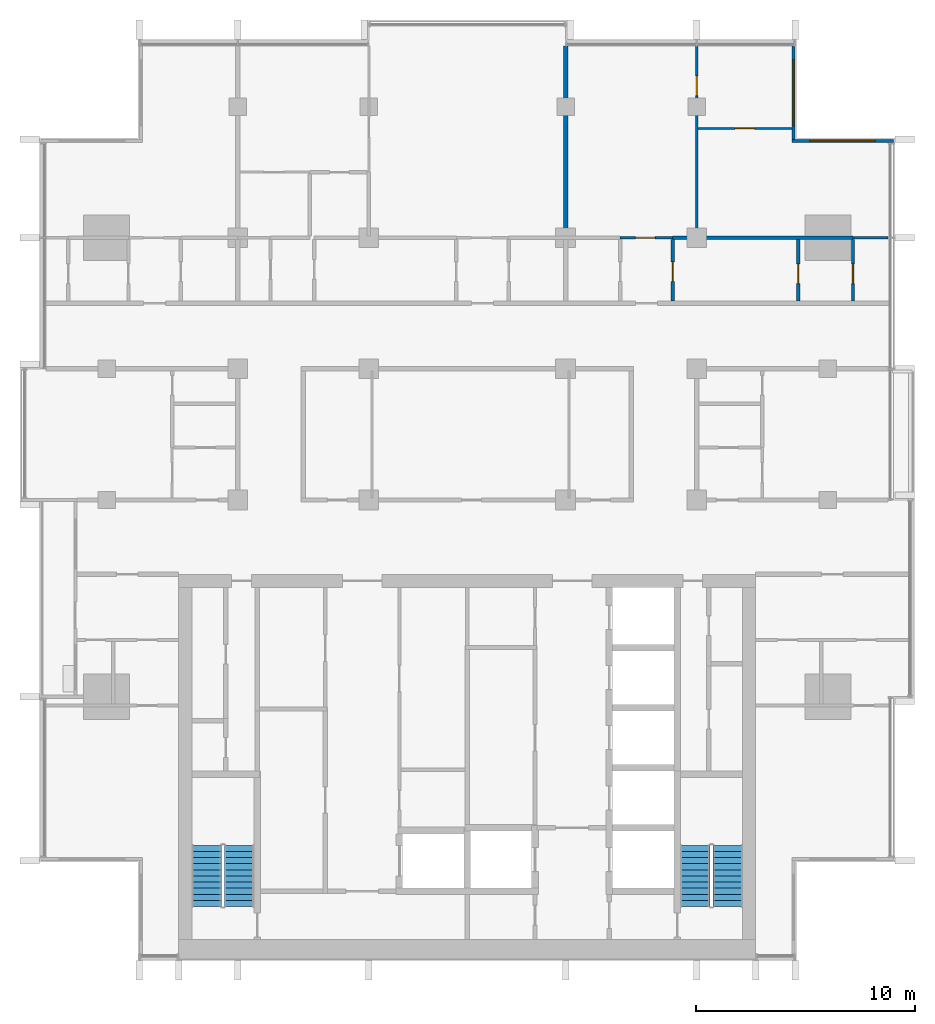
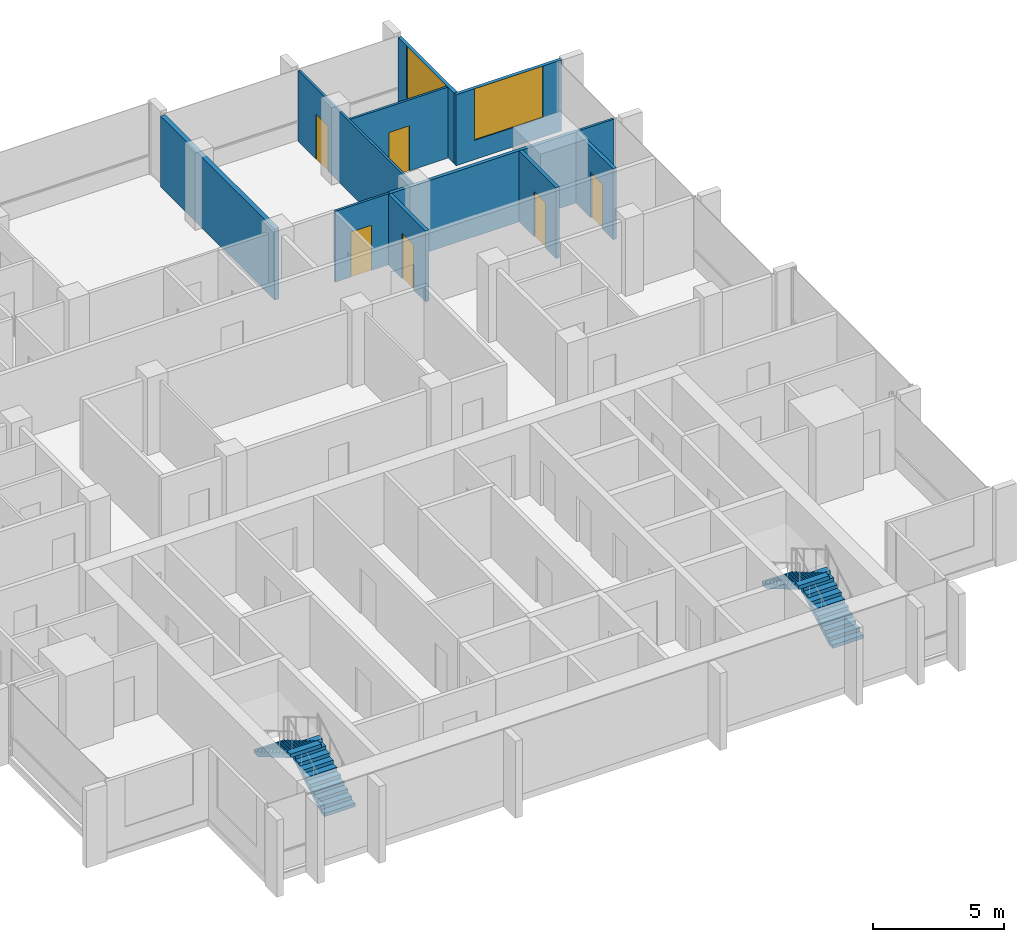
# One storey, part 11 of 16: 11 walls, 6 doors, 4 stair flights, 2 windows, 8 openings, 2 elements without a shape of their own.
"""IFC4 building model written with IfcOpenShell, lengths in metres."""

import ifcopenshell
import ifcopenshell.guid

model = None  # the IFC model being written
_history = None  # IfcOwnerHistory: only IFC2X3 demands one
_inside = {}  # id of a spatial element -> (the spatial element, [elements in it])
_under = {}  # id of a project, library or spatial element -> (it, [spatial elements below it])
_declared = {}  # id of a project -> (the project, [libraries it declares])
_typed = {}  # id of a type object -> (the type object, [elements of that type])
_made_of = {}  # id of a material, layer set ... -> (it, [elements and type objects made of it])


def new_model(schema):
    """Start an empty IFC model of exactly this schema.

    Asked for "IFC4X3", IfcOpenShell would pick the latest addendum, in which some entities
    have other attributes; the version numbers below select the first issue.
    IFC2X3 requires an IfcOwnerHistory on every rooted entity: one is made here for all.
    """
    global model, _history
    if schema == "IFC4X3":
        model = ifcopenshell.file(schema_version=(4, 3, 0, 0))
    else:
        model = ifcopenshell.file(schema=schema)
    _inside.clear()
    _under.clear()
    _declared.clear()
    _typed.clear()
    _made_of.clear()
    _history = None
    if model.schema == "IFC2X3":
        org = make("IfcOrganization", Name="unknown")
        user = make(
            "IfcPersonAndOrganization",
            ThePerson=make("IfcPerson", FamilyName="unknown"),
            TheOrganization=org,
        )
        app = make(
            "IfcApplication",
            ApplicationDeveloper=org,
            Version="unknown",
            ApplicationFullName="unknown",
            ApplicationIdentifier="unknown",
        )
        _history = make(
            "IfcOwnerHistory",
            OwningUser=user,
            OwningApplication=app,
            ChangeAction="ADDED",
            CreationDate=0,
        )
    return model


def make(cls, **values):
    """One entity of the class cls with the attributes given. An attribute that is None is left unset."""
    return model.create_entity(
        cls, **{name: value for name, value in values.items() if value is not None}
    )


def rooted(cls, **values):
    """An entity with a GlobalId (a new one), such as an element, a storey or a relation."""
    return make(cls, GlobalId=ifcopenshell.guid.new(), OwnerHistory=_history, **values)


def si_unit(unit_type, name, prefix=None):
    """IfcSIUnit, for example si_unit("LENGTHUNIT", "METRE", prefix="MILLI")."""
    return make("IfcSIUnit", UnitType=unit_type, Prefix=prefix, Name=name)


def assignment(units):
    """IfcUnitAssignment: the units of a project."""
    return None if units is None else make("IfcUnitAssignment", Units=units)


def point(xyz):
    """IfcCartesianPoint."""
    return None if xyz is None else make("IfcCartesianPoint", Coordinates=xyz)


def direction(xyz):
    """IfcDirection."""
    return None if xyz is None else make("IfcDirection", DirectionRatios=xyz)


def frame(location, z_axis=None, x_axis=None):
    """IfcAxis2Placement3D, a coordinate frame: its origin and axes. An axis left out is left unset."""
    return make(
        "IfcAxis2Placement3D",
        Location=point(location),
        Axis=direction(z_axis),
        RefDirection=direction(x_axis),
    )


def frame_2d(location, x_axis=None):
    """IfcAxis2Placement2D, a coordinate frame in the plane: its origin and x axis."""
    return make(
        "IfcAxis2Placement2D", Location=point(location), RefDirection=direction(x_axis)
    )


def origin():
    """The frame at (0, 0, 0) with its axes left unset."""
    return frame((0.0, 0.0, 0.0))


def place(relative_to, where):
    """IfcLocalPlacement: puts the frame where relative to a parent placement (None: the world)."""
    return make(
        "IfcLocalPlacement", PlacementRelTo=relative_to, RelativePlacement=where
    )


def context(
    kind, dimensions, precision=None, world=None, true_north=None, identifier=None
):
    """IfcGeometricRepresentationContext, for example the 3D "Model" context."""
    return make(
        "IfcGeometricRepresentationContext",
        ContextIdentifier=identifier,
        ContextType=kind,
        CoordinateSpaceDimension=dimensions,
        Precision=precision,
        WorldCoordinateSystem=world,
        TrueNorth=true_north,
    )


def subcontext(parent, identifier, kind, view, scale=None):
    """IfcGeometricRepresentationSubContext, for example "Body" below "Model"."""
    return make(
        "IfcGeometricRepresentationSubContext",
        ContextIdentifier=identifier,
        ContextType=kind,
        ParentContext=parent,
        TargetScale=scale,
        TargetView=view,
    )


def project(units=None, contexts=None):
    """IfcProject with its units and contexts."""
    return rooted(
        "IfcProject",
        Name="project",
        RepresentationContexts=contexts,
        UnitsInContext=assignment(units),
    )


def spatial(cls, under=None, at=None, **own):
    """A site, building, storey or space (cls), placed at a placement, below another one or the project."""
    s = rooted(cls, ObjectPlacement=at, **own)
    if under is not None:
        _under.setdefault(under.id(), (under, []))[1].append(s)
    return s


def polyline(points):
    """IfcPolyline through the points."""
    return make("IfcPolyline", Points=[point(p) for p in points])


def profile(cls, at=None, kind="AREA", **sizes):
    """A parametric profile (cls). Its sizes go by their IFC names, for example OverallWidth=200.0."""
    return make(cls, ProfileType=kind, Position=at, **sizes)


def rectangle(**sizes):
    """IfcRectangleProfileDef."""
    return profile("IfcRectangleProfileDef", **sizes)


def outline(outer, holes=None, kind="AREA"):
    """IfcArbitraryClosedProfileDef: a profile drawn as a closed curve; with holes, ...WithVoids."""
    if holes is None:
        return make("IfcArbitraryClosedProfileDef", ProfileType=kind, OuterCurve=outer)
    return make(
        "IfcArbitraryProfileDefWithVoids",
        ProfileType=kind,
        OuterCurve=outer,
        InnerCurves=holes,
    )


def extrude(swept, where, along, depth):
    """IfcExtrudedAreaSolid: the profile swept, set in the frame where, extruded along a direction by depth."""
    return make(
        "IfcExtrudedAreaSolid",
        SweptArea=swept,
        Position=where,
        ExtrudedDirection=direction(along),
        Depth=depth,
    )


def shape(context_of_items, identifier, shape_type, items):
    """IfcShapeRepresentation: the items that make up one representation, for example the "Body"."""
    return make(
        "IfcShapeRepresentation",
        ContextOfItems=context_of_items,
        RepresentationIdentifier=identifier,
        RepresentationType=shape_type,
        Items=items,
    )


def material(Name=None, Category=None):
    """IfcMaterial."""
    return make("IfcMaterial", Name=Name, Category=Category)


def layer(
    of_material, thickness, ventilated=None, Name=None, Category=None, Priority=None
):
    """IfcMaterialLayer: one layer of a wall or slab, of a material (None: an air gap)."""
    return make(
        "IfcMaterialLayer",
        Material=of_material,
        LayerThickness=thickness,
        IsVentilated=ventilated,
        Name=Name,
        Category=Category,
        Priority=Priority,
    )


def layer_set(layers, Name=None):
    """IfcMaterialLayerSet."""
    return make("IfcMaterialLayerSet", MaterialLayers=layers, LayerSetName=Name)


def made_of(thing, what):
    """Note that an element or type object is made of a material, layer set ...; save() writes the relation."""
    if what is not None:
        _made_of.setdefault(what.id(), (what, []))[1].append(thing)
    return thing


def type_object(cls, material=None, **own):
    """A type object (cls), such as IfcWallType, which elements share."""
    return made_of(rooted(cls, **own), material)


def element(
    cls,
    number,
    at=None,
    inside=None,
    cuts=None,
    type_object=None,
    material=None,
    context=None,
    identifier="Body",
    shape_type=None,
    held_by="IfcProductDefinitionShape",
    body=None,
    shapes=None,
    **own,
):
    """One element of the class cls, such as IfcWall. Its Tag is "e" and its number.

    at: its placement. inside: the storey or other place that contains it. cuts: it is an
    opening in that element (IfcRelVoidsElement). A single representation is given by context,
    identifier, shape_type and body (its items); several are given by shapes. held_by: the class
    of the entity that holds the representations. save() writes the other relations.
    """
    e = rooted(cls, Tag="e%d" % number, ObjectPlacement=at, **own)
    if body is not None:
        shapes = [shape(context, identifier, shape_type, body)]
    if shapes is not None:
        e.Representation = make(held_by, Representations=shapes)
    if inside is not None:
        _inside.setdefault(inside.id(), (inside, []))[1].append(e)
    if cuts is not None:
        rooted(
            "IfcRelVoidsElement", RelatingBuildingElement=cuts, RelatedOpeningElement=e
        )
    if type_object is not None:
        _typed.setdefault(type_object.id(), (type_object, []))[1].append(e)
    return made_of(e, material)


def fill(opening, filler):
    """IfcRelFillsElement: the door or window that sits in an opening."""
    return rooted(
        "IfcRelFillsElement",
        RelatingOpeningElement=opening,
        RelatedBuildingElement=filler,
    )


def aggregate(whole, parts):
    """IfcRelAggregates: a whole, such as a stair, and the parts it consists of."""
    return rooted("IfcRelAggregates", RelatingObject=whole, RelatedObjects=parts)


def save(model, path):
    """Write the relations noted so far, then the file.

    IfcRelAggregates (storeys below a building ...), IfcRelContainedInSpatialStructure (elements
    in a storey), IfcRelDefinesByType, IfcRelAssociatesMaterial and IfcRelDeclares: one each for
    every whole, place, type object, material and project.
    """
    for whole, parts in _under.values():
        aggregate(whole, parts)
    for where, things in _inside.values():
        rooted(
            "IfcRelContainedInSpatialStructure",
            RelatedElements=things,
            RelatingStructure=where,
        )
    for kind, things in _typed.values():
        rooted("IfcRelDefinesByType", RelatedObjects=things, RelatingType=kind)
    for what, things in _made_of.values():
        rooted("IfcRelAssociatesMaterial", RelatedObjects=things, RelatingMaterial=what)
    for by, libraries in _declared.values():
        rooted("IfcRelDeclares", RelatingContext=by, RelatedDefinitions=libraries)
    model.write(path)


model = new_model("IFC4")

# Units and contexts
model_context = context("Model", 3, precision=1e-05, world=origin(), true_north=direction((0.0, 1.0)))
body_context = subcontext(model_context, "Body", "Model", "MODEL_VIEW")
ifc_project = project(units=[si_unit("LENGTHUNIT", "METRE"), si_unit("AREAUNIT", "SQUARE_METRE"), si_unit("VOLUMEUNIT", "CUBIC_METRE"), si_unit("PLANEANGLEUNIT", "RADIAN"), si_unit("MASSUNIT", "GRAM", prefix="KILO")], contexts=[model_context])

# Site, building, storey
site_placement = place(None, origin())
site = spatial("IfcSite", under=ifc_project, at=site_placement, CompositionType="ELEMENT")
building_placement = place(site_placement, origin())
building = spatial("IfcBuilding", under=site, at=building_placement, Name="Finial Court Residences", CompositionType="ELEMENT")
storey_placement = place(building_placement, frame((0.0, 0.0, 215.89990234375)))
storey = spatial("IfcBuildingStorey", under=building, at=storey_placement, Name="L54", CompositionType="ELEMENT", Elevation=215.89990234375)

# Wall
ifc_material_1 = material(Name="Gypsum board")
ifc_layer_1 = layer(ifc_material_1, 0.02490234375)
ifc_material_2 = material(Name="Acoustic mineral wool in double frame")
ifc_layer_2 = layer(ifc_material_2, 0.14990234375)
ifc_layer_3 = layer(ifc_material_1, 0.02490234375)
ifc_layer_set_1 = layer_set([ifc_layer_1, ifc_layer_2, ifc_layer_3], Name="Acoustic party wall 200, 1 hour")
wall_type_1 = type_object("IfcWallType", Name="Acoustic party wall 200, 1 hour", PredefinedType="PARTITIONING", material=ifc_layer_set_1)
wall_1_placement = place(storey_placement, frame((4.5, 7.574951171875, 0.0), z_axis=(0.0, 0.0, 1.0), x_axis=(0.0, 1.0, 0.0)))
element("IfcWall", 1, at=wall_1_placement, inside=storey, type_object=wall_type_1, Name="Partition L54-051", PredefinedType="PARTITIONING", context=body_context, shape_type="SweptSolid", body=[
    extrude(rectangle(XDim=8.6875, YDim=0.199951171875, at=frame_2d((4.34375, 0.0))), origin(), (0.0, 0.0, 1.0), 3.300048828125),
])

# Wall, opening, door
ifc_layer_4 = layer(ifc_material_1, 0.012451171875)
ifc_material_3 = material(Name="Mineral wool in light-gauge frame")
ifc_layer_5 = layer(ifc_material_3, 0.074951171875)
ifc_layer_6 = layer(ifc_material_1, 0.012451171875)
ifc_layer_set_2 = layer_set([ifc_layer_4, ifc_layer_5, ifc_layer_6], Name="Gypsum board partition 100")
wall_type_2 = type_object("IfcWallType", Name="Gypsum board partition 100", PredefinedType="PARTITIONING", material=ifc_layer_set_2)
wall_2_placement = place(storey_placement, frame((7.0, 7.5, 0.0), z_axis=(0.0, 0.0, 1.0), x_axis=(1.0, 0.0, 0.0)))
wall_2 = element("IfcWall", 2, at=wall_2_placement, inside=storey, type_object=wall_type_2, Name="Partition L54-021", PredefinedType="PARTITIONING", context=body_context, shape_type="SweptSolid", body=[
    extrude(rectangle(XDim=2.39990234375, YDim=0.10009765625, at=frame_2d((1.199951171875, 0.0))), origin(), (0.0, 0.0, 1.0), 3.300048828125),
])
opening_1_placement = place(wall_2_placement, frame((0.699951171875, 0.0, 0.0)))
opening_1 = element("IfcOpeningElement", 3, at=opening_1_placement, cuts=wall_2, Name="Opening L54-D021", PredefinedType="OPENING", context=body_context, shape_type="SweptSolid", body=[
    extrude(rectangle(XDim=0.89990234375, YDim=2.10009765625, at=frame_2d((0.449951171875, 1.050048828125))), frame((0.0, 0.06005859375, 0.0), z_axis=(0.0, -1.0, 0.0), x_axis=(1.0, 0.0, 0.0)), (0.0, 0.0, 1.0), 0.1201171875),
])
ifc_material_4 = material(Name="Timber door leaf in timber frame", Category="wood")
door_type = type_object("IfcDoorType", Name="Door set 900 x 2100", OperationType="SINGLE_SWING_LEFT", PredefinedType="DOOR", material=ifc_material_4)
door_1_placement = place(opening_1_placement, origin())
door_1 = element("IfcDoor", 4, at=door_1_placement, inside=storey, type_object=door_type, Name="Door L54-D021", OperationType="SINGLE_SWING_RIGHT", OverallHeight=2.10009765625, OverallWidth=0.89990234375, PredefinedType="DOOR", context=body_context, shape_type="SweptSolid", body=[
    extrude(rectangle(XDim=0.89990234375, YDim=2.10009765625, at=frame_2d((0.449951171875, 1.050048828125))), frame((0.0, 0.02490234375, 0.0), z_axis=(0.0, -1.0, 0.0), x_axis=(1.0, 0.0, 0.0)), (0.0, 0.0, 1.0), 0.050048828125),
])
fill(opening_1, door_1)

# Wall
wall_3_placement = place(storey_placement, frame((17.64990234375, 7.5, 0.0), z_axis=(0.0, 0.0, 1.0), x_axis=(1.0, 0.0, 0.0)))
element("IfcWall", 5, at=wall_3_placement, inside=storey, type_object=wall_type_2, Name="Partition L54-022", PredefinedType="PARTITIONING", context=body_context, shape_type="SweptSolid", body=[
    extrude(rectangle(XDim=1.612548828125, YDim=0.10009765625, at=frame_2d((0.80615234375, 0.0))), origin(), (0.0, 0.0, 1.0), 3.300048828125),
])

# Wall, opening, door
wall_4_placement = place(storey_placement, frame((10.550048828125, 12.5, 0.0), z_axis=(0.0, 0.0, 1.0), x_axis=(1.0, 0.0, 0.0)))
wall_4 = element("IfcWall", 6, at=wall_4_placement, inside=storey, type_object=wall_type_2, Name="Partition L54-031", PredefinedType="PARTITIONING", context=body_context, shape_type="SweptSolid", body=[
    extrude(rectangle(XDim=4.300048828125, YDim=0.10009765625, at=frame_2d((2.14990234375, 0.0))), origin(), (0.0, 0.0, 1.0), 3.300048828125),
])
opening_2_placement = place(wall_4_placement, frame((1.699951171875, 0.0, 0.0)))
opening_2 = element("IfcOpeningElement", 7, at=opening_2_placement, cuts=wall_4, Name="Opening L54-D024", PredefinedType="OPENING", context=body_context, shape_type="SweptSolid", body=[
    extrude(rectangle(XDim=0.89990234375, YDim=2.10009765625, at=frame_2d((0.449951171875, 1.050048828125))), frame((0.0, 0.06005859375, 0.0), z_axis=(0.0, -1.0, 0.0), x_axis=(1.0, 0.0, 0.0)), (0.0, 0.0, 1.0), 0.1201171875),
])
door_2_placement = place(opening_2_placement, origin())
door_2 = element("IfcDoor", 8, at=door_2_placement, inside=storey, type_object=door_type, Name="Door L54-D024", OperationType="SINGLE_SWING_LEFT", OverallHeight=2.10009765625, OverallWidth=0.89990234375, PredefinedType="DOOR", context=body_context, shape_type="SweptSolid", body=[
    extrude(rectangle(XDim=0.89990234375, YDim=2.10009765625, at=frame_2d((0.449951171875, 1.050048828125))), frame((0.0, 0.02490234375, 0.0), z_axis=(0.0, -1.0, 0.0), x_axis=(1.0, 0.0, 0.0)), (0.0, 0.0, 1.0), 0.050048828125),
])
fill(opening_2, door_2)

wall_5_placement = place(storey_placement, frame((10.5, 7.574951171875, 0.0), z_axis=(0.0, 0.0, 1.0), x_axis=(0.0, 1.0, 0.0)))
wall_5 = element("IfcWall", 9, at=wall_5_placement, inside=storey, type_object=wall_type_2, Name="Partition L54-057", PredefinedType="PARTITIONING", context=body_context, shape_type="SweptSolid", body=[
    extrude(rectangle(XDim=8.6875, YDim=0.10009765625, at=frame_2d((4.34375, 0.0))), origin(), (0.0, 0.0, 1.0), 3.300048828125),
])
opening_3_placement = place(wall_5_placement, frame((6.425048828125, 0.0, 0.0)))
opening_3 = element("IfcOpeningElement", 10, at=opening_3_placement, cuts=wall_5, Name="Opening L54-D037", PredefinedType="OPENING", context=body_context, shape_type="SweptSolid", body=[
    extrude(rectangle(XDim=0.89990234375, YDim=2.10009765625, at=frame_2d((0.449951171875, 1.050048828125))), frame((0.0, 0.06005859375, 0.0), z_axis=(0.0, -1.0, 0.0), x_axis=(1.0, 0.0, 0.0)), (0.0, 0.0, 1.0), 0.1201171875),
])
door_3_placement = place(opening_3_placement, origin())
door_3 = element("IfcDoor", 11, at=door_3_placement, inside=storey, type_object=door_type, Name="Door L54-D037", OperationType="SINGLE_SWING_RIGHT", OverallHeight=2.10009765625, OverallWidth=0.89990234375, PredefinedType="DOOR", context=body_context, shape_type="SweptSolid", body=[
    extrude(rectangle(XDim=0.89990234375, YDim=2.10009765625, at=frame_2d((0.449951171875, 1.050048828125))), frame((0.0, 0.02490234375, 0.0), z_axis=(0.0, -1.0, 0.0), x_axis=(1.0, 0.0, 0.0)), (0.0, 0.0, 1.0), 0.050048828125),
])
fill(opening_3, door_3)

# Wall
ifc_material_5 = material(Name="Moisture-resistant gypsum board")
ifc_layer_7 = layer(ifc_material_5, 0.012451171875)
ifc_layer_8 = layer(ifc_material_3, 0.125)
ifc_layer_9 = layer(ifc_material_5, 0.012451171875)
ifc_layer_set_3 = layer_set([ifc_layer_7, ifc_layer_8, ifc_layer_9], Name="Gypsum board wet-area partition 150")
wall_type_3 = type_object("IfcWallType", Name="Gypsum board wet-area partition 150", PredefinedType="PARTITIONING", material=ifc_layer_set_3)
wall_6_placement = place(storey_placement, frame((9.39990234375, 7.5, 0.0), z_axis=(0.0, 0.0, 1.0), x_axis=(1.0, 0.0, 0.0)))
element("IfcWall", 12, at=wall_6_placement, inside=storey, type_object=wall_type_3, Name="Partition L54-028", PredefinedType="PARTITIONING", context=body_context, shape_type="SweptSolid", body=[
    extrude(rectangle(XDim=8.25, YDim=0.14990234375, at=frame_2d((4.125, 0.0))), origin(), (0.0, 0.0, 1.0), 3.300048828125),
])

# Wall, opening, door
wall_7_placement = place(storey_placement, frame((9.39990234375, 4.60009765625, 0.0), z_axis=(0.0, 0.0, 1.0), x_axis=(0.0, 1.0, 0.0)))
wall_7 = element("IfcWall", 13, at=wall_7_placement, inside=storey, type_object=wall_type_3, Name="Partition L54-055", PredefinedType="PARTITIONING", context=body_context, shape_type="SweptSolid", body=[
    extrude(rectangle(XDim=2.824951171875, YDim=0.14990234375, at=frame_2d((1.41259765625, 0.0))), origin(), (0.0, 0.0, 1.0), 3.300048828125),
])
opening_4_placement = place(wall_7_placement, frame((0.89990234375, 0.0, 0.0)))
opening_4 = element("IfcOpeningElement", 14, at=opening_4_placement, cuts=wall_7, Name="Opening L54-D036", PredefinedType="OPENING", context=body_context, shape_type="SweptSolid", body=[
    extrude(rectangle(XDim=0.89990234375, YDim=2.10009765625, at=frame_2d((0.449951171875, 1.050048828125))), frame((0.0, 0.0849609375, 0.0), z_axis=(0.0, -1.0, 0.0), x_axis=(1.0, 0.0, 0.0)), (0.0, 0.0, 1.0), 0.169921875),
])
door_4_placement = place(opening_4_placement, origin())
door_4 = element("IfcDoor", 15, at=door_4_placement, inside=storey, type_object=door_type, Name="Door L54-D036", OperationType="SINGLE_SWING_RIGHT", OverallHeight=2.10009765625, OverallWidth=0.89990234375, PredefinedType="DOOR", context=body_context, shape_type="SweptSolid", body=[
    extrude(rectangle(XDim=0.89990234375, YDim=2.10009765625, at=frame_2d((0.449951171875, 1.050048828125))), frame((0.0, 0.02490234375, 0.0), z_axis=(0.0, -1.0, 0.0), x_axis=(1.0, 0.0, 0.0)), (0.0, 0.0, 1.0), 0.050048828125),
])
fill(opening_4, door_4)

wall_8_placement = place(storey_placement, frame((15.14990234375, 4.60009765625, 0.0), z_axis=(0.0, 0.0, 1.0), x_axis=(0.0, 1.0, 0.0)))
wall_8 = element("IfcWall", 16, at=wall_8_placement, inside=storey, type_object=wall_type_3, Name="Partition L54-060", PredefinedType="PARTITIONING", context=body_context, shape_type="SweptSolid", body=[
    extrude(rectangle(XDim=2.824951171875, YDim=0.14990234375, at=frame_2d((1.41259765625, 0.0))), origin(), (0.0, 0.0, 1.0), 3.300048828125),
])
opening_5_placement = place(wall_8_placement, frame((0.800048828125, 0.0, 0.0)))
opening_5 = element("IfcOpeningElement", 17, at=opening_5_placement, cuts=wall_8, Name="Opening L54-D040", PredefinedType="OPENING", context=body_context, shape_type="SweptSolid", body=[
    extrude(rectangle(XDim=0.89990234375, YDim=2.10009765625, at=frame_2d((0.449951171875, 1.050048828125))), frame((0.0, 0.0849609375, 0.0), z_axis=(0.0, -1.0, 0.0), x_axis=(1.0, 0.0, 0.0)), (0.0, 0.0, 1.0), 0.169921875),
])
door_5_placement = place(opening_5_placement, origin())
door_5 = element("IfcDoor", 18, at=door_5_placement, inside=storey, type_object=door_type, Name="Door L54-D040", OperationType="SINGLE_SWING_LEFT", OverallHeight=2.10009765625, OverallWidth=0.89990234375, PredefinedType="DOOR", context=body_context, shape_type="SweptSolid", body=[
    extrude(rectangle(XDim=0.89990234375, YDim=2.10009765625, at=frame_2d((0.449951171875, 1.050048828125))), frame((0.0, 0.02490234375, 0.0), z_axis=(0.0, -1.0, 0.0), x_axis=(1.0, 0.0, 0.0)), (0.0, 0.0, 1.0), 0.050048828125),
])
fill(opening_5, door_5)

wall_9_placement = place(storey_placement, frame((17.64990234375, 4.60009765625, 0.0), z_axis=(0.0, 0.0, 1.0), x_axis=(0.0, 1.0, 0.0)))
wall_9 = element("IfcWall", 19, at=wall_9_placement, inside=storey, type_object=wall_type_3, Name="Partition L54-062", PredefinedType="PARTITIONING", context=body_context, shape_type="SweptSolid", body=[
    extrude(rectangle(XDim=2.824951171875, YDim=0.14990234375, at=frame_2d((1.41259765625, 0.0))), origin(), (0.0, 0.0, 1.0), 3.300048828125),
])
opening_6_placement = place(wall_9_placement, frame((0.800048828125, 0.0, 0.0)))
opening_6 = element("IfcOpeningElement", 20, at=opening_6_placement, cuts=wall_9, Name="Opening L54-D041", PredefinedType="OPENING", context=body_context, shape_type="SweptSolid", body=[
    extrude(rectangle(XDim=0.89990234375, YDim=2.10009765625, at=frame_2d((0.449951171875, 1.050048828125))), frame((0.0, 0.0849609375, 0.0), z_axis=(0.0, -1.0, 0.0), x_axis=(1.0, 0.0, 0.0)), (0.0, 0.0, 1.0), 0.169921875),
])
door_6_placement = place(opening_6_placement, origin())
door_6 = element("IfcDoor", 21, at=door_6_placement, inside=storey, type_object=door_type, Name="Door L54-D041", OperationType="SINGLE_SWING_LEFT", OverallHeight=2.10009765625, OverallWidth=0.89990234375, PredefinedType="DOOR", context=body_context, shape_type="SweptSolid", body=[
    extrude(rectangle(XDim=0.89990234375, YDim=2.10009765625, at=frame_2d((0.449951171875, 1.050048828125))), frame((0.0, 0.02490234375, 0.0), z_axis=(0.0, -1.0, 0.0), x_axis=(1.0, 0.0, 0.0)), (0.0, 0.0, 1.0), 0.050048828125),
])
fill(opening_6, door_6)

# Wall, opening, window
ifc_material_6 = material(Name="Natural limestone", Category="masonry")
ifc_layer_10 = layer(ifc_material_6, 0.14990234375)
ifc_layer_set_4 = layer_set([ifc_layer_10], Name="Limestone clad wall 150")
wall_type_4 = type_object("IfcWallType", Name="Limestone clad wall 150", PredefinedType="SOLIDWALL", material=ifc_layer_set_4)
wall_10_placement = place(storey_placement, frame((14.925048828125, 16.262451171875, 0.0), z_axis=(0.0, 0.0, 1.0), x_axis=(0.0, -1.0, 0.0)))
wall_10 = element("IfcWall", 22, at=wall_10_placement, inside=storey, type_object=wall_type_4, Name="E-L54-NWE18", PredefinedType="SOLIDWALL", context=body_context, shape_type="SweptSolid", body=[
    extrude(rectangle(XDim=4.262451171875, YDim=0.14990234375, at=frame_2d((2.13134765625, 0.0))), origin(), (0.0, 0.0, 1.0), 3.300048828125),
])
opening_7_placement = place(wall_10_placement, frame((0.631103515625, 0.0, 0.89990234375)))
opening_7 = element("IfcOpeningElement", 23, at=opening_7_placement, cuts=wall_10, Name="Opening WE54-07", PredefinedType="OPENING", context=body_context, shape_type="SweptSolid", body=[
    extrude(rectangle(XDim=3.0, YDim=2.39990234375, at=frame_2d((1.5, 1.199951171875))), frame((0.0, 0.0849609375, 0.0), z_axis=(0.0, -1.0, 0.0), x_axis=(1.0, 0.0, 0.0)), (0.0, 0.0, 1.0), 0.169921875),
])
ifc_material_7 = material(Name="Clear low-e glass", Category="glass")
window_type = type_object("IfcWindowType", Name="Corner window 3000 x 2400", PartitioningType="SINGLE_PANEL", PredefinedType="WINDOW", material=ifc_material_7)
window_1_placement = place(opening_7_placement, origin())
window_1 = element("IfcWindow", 24, at=window_1_placement, inside=storey, type_object=window_type, Name="E-L54-NWE18-W1", OverallHeight=2.39990234375, OverallWidth=3.0, PartitioningType="SINGLE_PANEL", PredefinedType="WINDOW", context=body_context, shape_type="SweptSolid", body=[
    extrude(rectangle(XDim=3.0, YDim=2.39990234375, at=frame_2d((1.5, 1.199951171875))), frame((0.0, 0.030029296875, 0.0), z_axis=(0.0, -1.0, 0.0), x_axis=(1.0, 0.0, 0.0)), (0.0, 0.0, 1.0), 0.06005859375),
])
fill(opening_7, window_1)

wall_11_placement = place(storey_placement, frame((14.85009765625, 11.925048828125, 0.0), z_axis=(0.0, 0.0, 1.0), x_axis=(1.0, 0.0, 0.0)))
wall_11 = element("IfcWall", 25, at=wall_11_placement, inside=storey, type_object=wall_type_4, Name="E-L54-NWN19", PredefinedType="SOLIDWALL", context=body_context, shape_type="SweptSolid", body=[
    extrude(rectangle(XDim=4.64990234375, YDim=0.14990234375, at=frame_2d((2.324951171875, 0.0))), origin(), (0.0, 0.0, 1.0), 3.300048828125),
])
opening_8_placement = place(wall_11_placement, frame((0.824951171875, 0.0, 0.89990234375)))
opening_8 = element("IfcOpeningElement", 26, at=opening_8_placement, cuts=wall_11, Name="Opening WE54-08", PredefinedType="OPENING", context=body_context, shape_type="SweptSolid", body=[
    extrude(rectangle(XDim=3.0, YDim=2.39990234375, at=frame_2d((1.5, 1.199951171875))), frame((0.0, 0.0849609375, 0.0), z_axis=(0.0, -1.0, 0.0), x_axis=(1.0, 0.0, 0.0)), (0.0, 0.0, 1.0), 0.169921875),
])
window_2_placement = place(opening_8_placement, origin())
window_2 = element("IfcWindow", 27, at=window_2_placement, inside=storey, type_object=window_type, Name="E-L54-NWN19-W1", OverallHeight=2.39990234375, OverallWidth=3.0, PartitioningType="SINGLE_PANEL", PredefinedType="WINDOW", context=body_context, shape_type="SweptSolid", body=[
    extrude(rectangle(XDim=3.0, YDim=2.39990234375, at=frame_2d((1.5, 1.199951171875))), frame((0.0, 0.030029296875, 0.0), z_axis=(0.0, -1.0, 0.0), x_axis=(1.0, 0.0, 0.0)), (0.0, 0.0, 1.0), 0.06005859375),
])
fill(opening_8, window_2)

# Stair, stair flights
ifc_material_8 = material(Name="Concrete C50/60", Category="concrete")
stair_type = type_object("IfcStairType", Name="Exit stair 22 risers of 163.6 mm", PredefinedType="HALF_TURN_STAIR", material=ifc_material_8)
stair_1_placement = place(storey_placement, origin())
stair_1 = element("IfcStair", 28, at=stair_1_placement, inside=storey, type_object=stair_type, Name="L54 Exit stair ST-1", PredefinedType="HALF_TURN_STAIR")
stair_flight_type = type_object("IfcStairFlightType", Name="Exit stair flight", PredefinedType="STRAIGHT", material=ifc_material_8)
stair_flight_1_placement = place(storey_placement, frame((-10.425048828125, -23.10009765625, 0.0), z_axis=(0.0, 0.0, 1.0), x_axis=(0.0, 1.0, 0.0)))
stair_flight_1 = element("IfcStairFlight", 29, at=stair_flight_1_placement, type_object=stair_flight_type, Name="ST-1 flight 1", NumberOfRisers=11, NumberOfTreads=10, PredefinedType="STRAIGHT", RiserHeight=0.163636364, TreadLength=0.28, context=body_context, shape_type="SweptSolid", body=[
    extrude(outline(polyline([(0.0, 0.0), (0.0, 0.16357421875), (0.280029296875, 0.16357421875), (0.280029296875, 0.327392578125), (0.56005859375, 0.327392578125), (0.56005859375, 0.490966796875), (0.840087890625, 0.490966796875), (0.840087890625, 0.654541015625), (1.1201171875, 0.654541015625), (1.1201171875, 0.818115234375), (1.39990234375, 0.818115234375), (1.39990234375, 0.98193359375), (1.679931640625, 0.98193359375), (1.679931640625, 1.1455078125), (1.9599609375, 1.1455078125), (1.9599609375, 1.30908203125), (2.239990234375, 1.30908203125), (2.239990234375, 1.47265625), (2.52001953125, 1.47265625), (2.52001953125, 1.636474609375), (2.800048828125, 1.636474609375), (2.800048828125, 1.800048828125), (2.800048828125, 1.462646484375), (0.297119140625, 0.0), (0.0, 0.0)])), frame((0.0, 0.675048828125, 0.0), z_axis=(0.0, -1.0, 0.0), x_axis=(1.0, 0.0, 0.0)), (0.0, 0.0, 1.0), 1.35009765625),
])
stair_flight_2_placement = place(storey_placement, frame((-11.925048828125, -20.300048828125, 1.800048828125), z_axis=(0.0, 0.0, 1.0), x_axis=(0.0, -1.0, 0.0)))
stair_flight_2 = element("IfcStairFlight", 30, at=stair_flight_2_placement, type_object=stair_flight_type, Name="ST-1 flight 2", NumberOfRisers=11, NumberOfTreads=10, PredefinedType="STRAIGHT", RiserHeight=0.163636364, TreadLength=0.28, context=body_context, shape_type="SweptSolid", body=[
    extrude(outline(polyline([(0.0, 0.0), (0.0, 0.16357421875), (0.280029296875, 0.16357421875), (0.280029296875, 0.327392578125), (0.56005859375, 0.327392578125), (0.56005859375, 0.490966796875), (0.840087890625, 0.490966796875), (0.840087890625, 0.654541015625), (1.1201171875, 0.654541015625), (1.1201171875, 0.818115234375), (1.39990234375, 0.818115234375), (1.39990234375, 0.98193359375), (1.679931640625, 0.98193359375), (1.679931640625, 1.1455078125), (1.9599609375, 1.1455078125), (1.9599609375, 1.30908203125), (2.239990234375, 1.30908203125), (2.239990234375, 1.47265625), (2.52001953125, 1.47265625), (2.52001953125, 1.636474609375), (2.800048828125, 1.636474609375), (2.800048828125, 1.800048828125), (2.800048828125, 1.462646484375), (0.297119140625, 0.0), (0.0, 0.0)])), frame((0.0, 0.675048828125, 0.0), z_axis=(0.0, -1.0, 0.0), x_axis=(1.0, 0.0, 0.0)), (0.0, 0.0, 1.0), 1.35009765625),
])
aggregate(stair_1, [stair_flight_1, stair_flight_2])

stair_2_placement = place(storey_placement, origin())
stair_2 = element("IfcStair", 31, at=stair_2_placement, inside=storey, type_object=stair_type, Name="L54 Exit stair ST-2", PredefinedType="HALF_TURN_STAIR")
stair_flight_3_placement = place(storey_placement, frame((11.925048828125, -23.10009765625, 0.0), z_axis=(0.0, 0.0, 1.0), x_axis=(0.0, 1.0, 0.0)))
stair_flight_3 = element("IfcStairFlight", 32, at=stair_flight_3_placement, type_object=stair_flight_type, Name="ST-2 flight 1", NumberOfRisers=11, NumberOfTreads=10, PredefinedType="STRAIGHT", RiserHeight=0.163636364, TreadLength=0.28, context=body_context, shape_type="SweptSolid", body=[
    extrude(outline(polyline([(0.0, 0.0), (0.0, 0.16357421875), (0.280029296875, 0.16357421875), (0.280029296875, 0.327392578125), (0.56005859375, 0.327392578125), (0.56005859375, 0.490966796875), (0.840087890625, 0.490966796875), (0.840087890625, 0.654541015625), (1.1201171875, 0.654541015625), (1.1201171875, 0.818115234375), (1.39990234375, 0.818115234375), (1.39990234375, 0.98193359375), (1.679931640625, 0.98193359375), (1.679931640625, 1.1455078125), (1.9599609375, 1.1455078125), (1.9599609375, 1.30908203125), (2.239990234375, 1.30908203125), (2.239990234375, 1.47265625), (2.52001953125, 1.47265625), (2.52001953125, 1.636474609375), (2.800048828125, 1.636474609375), (2.800048828125, 1.800048828125), (2.800048828125, 1.462646484375), (0.297119140625, 0.0), (0.0, 0.0)])), frame((0.0, 0.675048828125, 0.0), z_axis=(0.0, -1.0, 0.0), x_axis=(1.0, 0.0, 0.0)), (0.0, 0.0, 1.0), 1.35009765625),
])
stair_flight_4_placement = place(storey_placement, frame((10.425048828125, -20.300048828125, 1.800048828125), z_axis=(0.0, 0.0, 1.0), x_axis=(0.0, -1.0, 0.0)))
stair_flight_4 = element("IfcStairFlight", 33, at=stair_flight_4_placement, type_object=stair_flight_type, Name="ST-2 flight 2", NumberOfRisers=11, NumberOfTreads=10, PredefinedType="STRAIGHT", RiserHeight=0.163636364, TreadLength=0.28, context=body_context, shape_type="SweptSolid", body=[
    extrude(outline(polyline([(0.0, 0.0), (0.0, 0.16357421875), (0.280029296875, 0.16357421875), (0.280029296875, 0.327392578125), (0.56005859375, 0.327392578125), (0.56005859375, 0.490966796875), (0.840087890625, 0.490966796875), (0.840087890625, 0.654541015625), (1.1201171875, 0.654541015625), (1.1201171875, 0.818115234375), (1.39990234375, 0.818115234375), (1.39990234375, 0.98193359375), (1.679931640625, 0.98193359375), (1.679931640625, 1.1455078125), (1.9599609375, 1.1455078125), (1.9599609375, 1.30908203125), (2.239990234375, 1.30908203125), (2.239990234375, 1.47265625), (2.52001953125, 1.47265625), (2.52001953125, 1.636474609375), (2.800048828125, 1.636474609375), (2.800048828125, 1.800048828125), (2.800048828125, 1.462646484375), (0.297119140625, 0.0), (0.0, 0.0)])), frame((0.0, 0.675048828125, 0.0), z_axis=(0.0, -1.0, 0.0), x_axis=(1.0, 0.0, 0.0)), (0.0, 0.0, 1.0), 1.35009765625),
])
aggregate(stair_2, [stair_flight_3, stair_flight_4])

save(model, "model.ifc")
